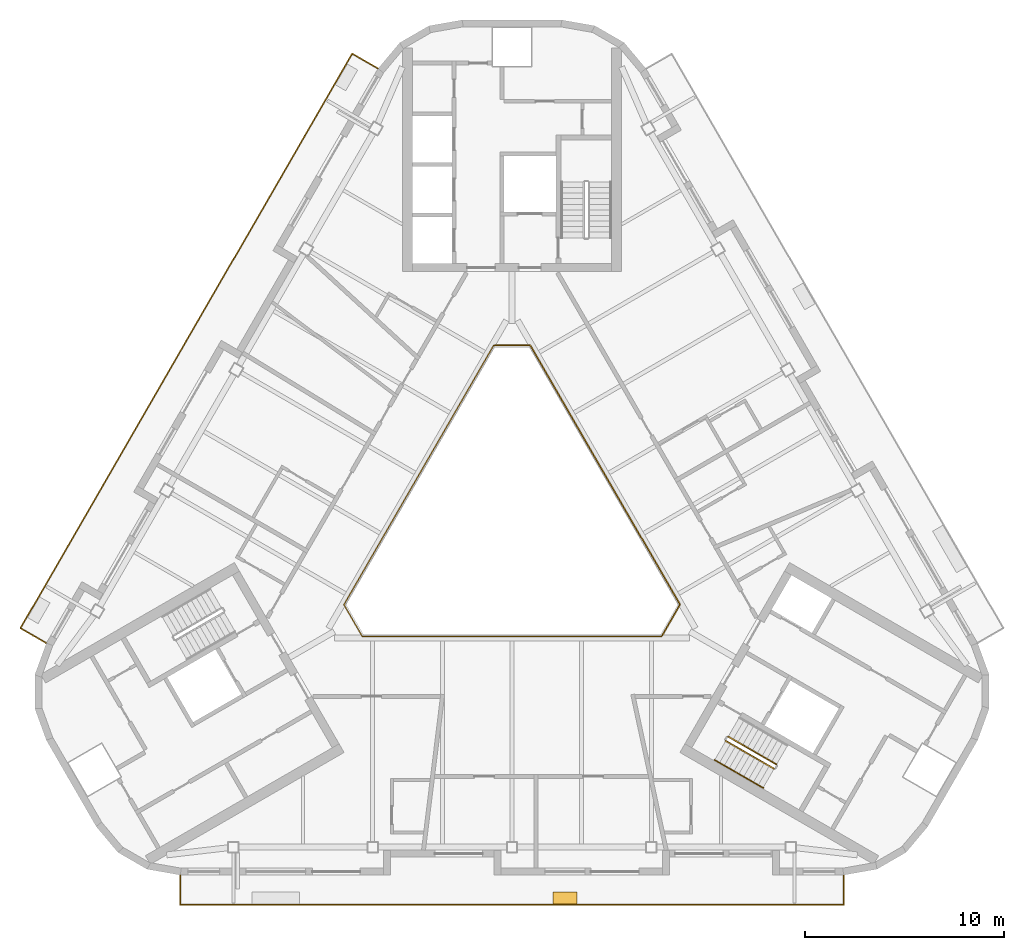
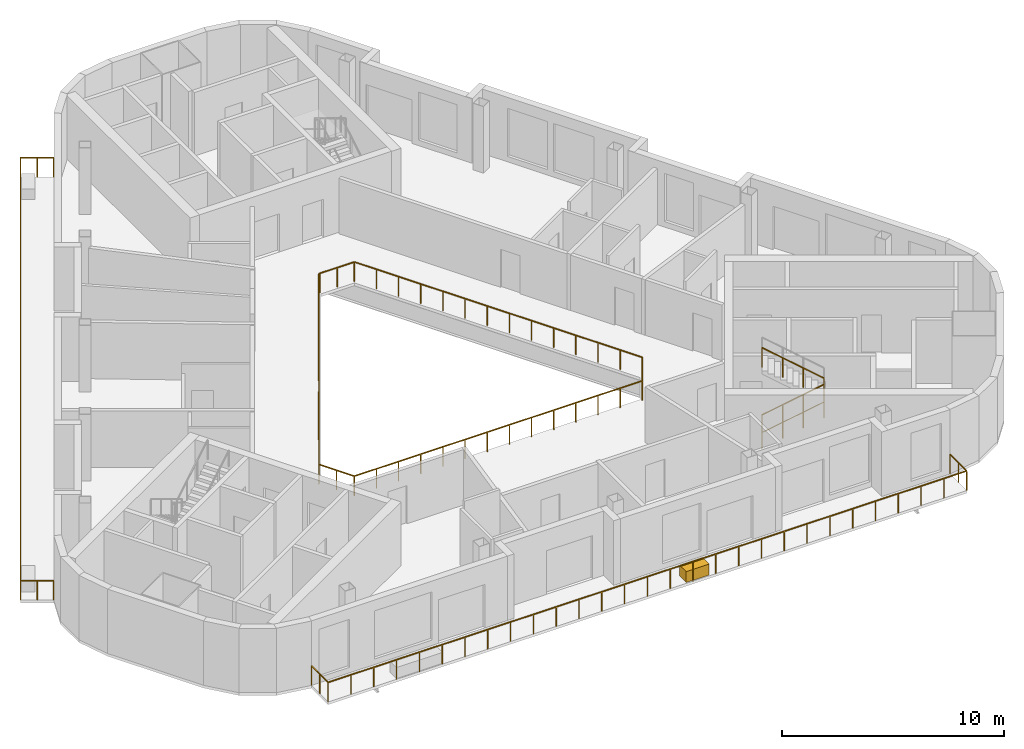
# One storey, part 9 of 12: 7 railings, 1 covering.
"""IFC4 building model written with IfcOpenShell, lengths in metres."""

from ifc_helpers import new_model, si_unit, direction, frame, origin, origin_2d, place, context, subcontext, project, spatial, rectangle, circle, extrude, material, type_object, element, save


model = new_model("IFC4")

# Units and contexts
model_context = context("Model", 3, precision=1e-05, world=origin(), true_north=direction((0.0, 1.0)))
body_context = subcontext(model_context, "Body", "Model", "MODEL_VIEW")
ifc_project = project(units=[si_unit("LENGTHUNIT", "METRE"), si_unit("AREAUNIT", "SQUARE_METRE"), si_unit("VOLUMEUNIT", "CUBIC_METRE"), si_unit("PLANEANGLEUNIT", "RADIAN"), si_unit("MASSUNIT", "GRAM", prefix="KILO")], contexts=[model_context])

# Site, building, storey
site_placement = place(None, origin())
site = spatial("IfcSite", under=ifc_project, at=site_placement, CompositionType="ELEMENT")
building_placement = place(site_placement, origin())
building = spatial("IfcBuilding", under=site, at=building_placement, Name="Apuvela Tower Hotel", CompositionType="ELEMENT")
storey_placement = place(building_placement, frame((0.0, 0.0, 294.800048828125)))
storey = spatial("IfcBuildingStorey", under=building, at=storey_placement, Name="L73", CompositionType="ELEMENT", Elevation=294.800048828125)

# Railings
ifc_material_1 = material(Name="Steel S275 balustrade", Category="steel")
railing_type_1 = type_object("IfcRailingType", Name="COR-GUARD-1100", PredefinedType="GUARDRAIL", material=ifc_material_1)
railing_1_placement = place(storey_placement, frame((10.718994140625, -10.63427734375, 0.168212890625)))
element("IfcRailing", 1, at=railing_1_placement, inside=storey, type_object=railing_type_1, Name="L73 ST3 stair guard 1", PredefinedType="GUARDRAIL", context=body_context, shape_type="SweptSolid", body=[
    extrude(rectangle(XDim=0.048095703125, YDim=0.048095703125, at=origin_2d()), frame((0.0, 0.0, 1.076171875), z_axis=(0.74241905619, -0.428617687091, 0.514879426), x_axis=(0.49998411664, 0.866034573852, 0.0)), (0.0, 0.0, 1.0), 3.26611328125),
    extrude(rectangle(XDim=0.0419921875, YDim=0.0419921875, at=origin_2d()), origin(), (0.0, 0.0, 1.0), 1.052001953125),
    extrude(rectangle(XDim=0.0419921875, YDim=0.0419921875, at=origin_2d()), frame((0.808349609375, -0.466552734375, 0.560546875)), (0.0, 0.0, 1.0), 1.052001953125),
    extrude(rectangle(XDim=0.0419921875, YDim=0.0419921875, at=origin_2d()), frame((1.616455078125, -0.933349609375, 1.12109375)), (0.0, 0.0, 1.0), 1.052001953125),
    extrude(rectangle(XDim=0.0419921875, YDim=0.0419921875, at=origin_2d()), frame((2.4248046875, -1.39990234375, 1.681640625)), (0.0, 0.0, 1.0), 1.052001953125),
])
railing_2_placement = place(storey_placement, frame((13.268798828125, -11.817626953125, 2.01806640625)))
element("IfcRailing", 2, at=railing_2_placement, inside=storey, type_object=railing_type_1, Name="L73 ST3 stair guard 3", PredefinedType="GUARDRAIL", context=body_context, shape_type="SweptSolid", body=[
    extrude(rectangle(XDim=0.048095703125, YDim=0.048095703125, at=origin_2d()), frame((0.0, 0.0, 1.076171875), z_axis=(-0.742390482028, 0.42860119049, 0.514934356695), x_axis=(-0.49998411664, -0.866034573852, 0.0)), (0.0, 0.0, 1.0), 3.26611328125),
    extrude(rectangle(XDim=0.0419921875, YDim=0.0419921875, at=origin_2d()), origin(), (0.0, 0.0, 1.0), 1.052001953125),
    extrude(rectangle(XDim=0.0419921875, YDim=0.0419921875, at=origin_2d()), frame((-0.808349609375, 0.466552734375, 0.560546875)), (0.0, 0.0, 1.0), 1.052001953125),
    extrude(rectangle(XDim=0.0419921875, YDim=0.0419921875, at=origin_2d()), frame((-1.616455078125, 0.933349609375, 1.121337890625)), (0.0, 0.0, 1.0), 1.052001953125),
    extrude(rectangle(XDim=0.0419921875, YDim=0.0419921875, at=origin_2d()), frame((-2.4248046875, 1.39990234375, 1.681884765625)), (0.0, 0.0, 1.0), 1.052001953125),
])
ifc_material_2 = material(Name="Stainless steel 316 handrail", Category="steel")
railing_type_2 = type_object("IfcRailingType", Name="COR-HANDRAIL-900", PredefinedType="HANDRAIL", material=ifc_material_2)
railing_3_placement = place(storey_placement, frame((10.1689453125, -11.5869140625, 0.168212890625)))
element("IfcRailing", 3, at=railing_3_placement, inside=storey, type_object=railing_type_2, Name="L73 ST3 stair handrail 1", PredefinedType="HANDRAIL", context=body_context, shape_type="SweptSolid", body=[
    extrude(circle(Radius=0.02392578125, at=origin_2d()), frame((0.0, 0.0, 0.8759765625), z_axis=(0.74241905619, -0.428617687091, 0.514879426), x_axis=(0.49998411664, 0.866034573852, 0.0)), (0.0, 0.0, 1.0), 3.26611328125),
    extrude(rectangle(XDim=0.0419921875, YDim=0.0419921875, at=origin_2d()), origin(), (0.0, 0.0, 1.0), 0.851806640625),
    extrude(rectangle(XDim=0.0419921875, YDim=0.0419921875, at=origin_2d()), frame((0.808349609375, -0.466552734375, 0.560546875)), (0.0, 0.0, 1.0), 0.851806640625),
    extrude(rectangle(XDim=0.0419921875, YDim=0.0419921875, at=origin_2d()), frame((1.616455078125, -0.933349609375, 1.12109375)), (0.0, 0.0, 1.0), 0.851806640625),
    extrude(rectangle(XDim=0.0419921875, YDim=0.0419921875, at=origin_2d()), frame((2.4248046875, -1.39990234375, 1.681640625)), (0.0, 0.0, 1.0), 0.851806640625),
])
ifc_material_3 = material(Name="Stainless steel 316 rail with laminated glass infill", Category="steel")
railing_type_3 = type_object("IfcRailingType", Name="ENV-GUARD-1100", PredefinedType="GUARDRAIL", material=ifc_material_3)
railing_4_placement = place(storey_placement, frame((-16.6416015625, -17.361572265625, 0.0)))
element("IfcRailing", 4, at=railing_4_placement, inside=storey, type_object=railing_type_3, Name="Balcony guard S L73", PredefinedType="GUARDRAIL", context=body_context, shape_type="SweptSolid", body=[
    extrude(rectangle(XDim=0.050048828125, YDim=0.050048828125, at=origin_2d()), frame((0.0, 0.0, 1.0751953125), z_axis=(0.0, -1.0, 0.0), x_axis=(1.0, 0.0, 0.0)), (0.0, 0.0, 1.0), 1.5),
    extrude(rectangle(XDim=0.050048828125, YDim=0.050048828125, at=origin_2d()), frame((0.0, -1.5, 1.0751953125), z_axis=(1.0, 0.0, 0.0), x_axis=(0.0, 1.0, 0.0)), (0.0, 0.0, 1.0), 33.283203125),
    extrude(rectangle(XDim=0.050048828125, YDim=0.050048828125, at=origin_2d()), frame((33.283203125, -1.5, 1.0751953125), z_axis=(0.0, 1.0, 0.0), x_axis=(-1.0, 0.0, 0.0)), (0.0, 0.0, 1.0), 1.5),
    extrude(rectangle(XDim=0.0400390625, YDim=0.0400390625, at=origin_2d()), origin(), (0.0, 0.0, 1.0), 1.050048828125),
    extrude(rectangle(XDim=0.0400390625, YDim=0.0400390625, at=origin_2d()), frame((0.0, -0.75, 0.0)), (0.0, 0.0, 1.0), 1.050048828125),
    extrude(rectangle(XDim=0.0400390625, YDim=0.0400390625, at=origin_2d()), frame((0.0, -1.5, 0.0)), (0.0, 0.0, 1.0), 1.050048828125),
    extrude(rectangle(XDim=0.0400390625, YDim=0.0400390625, at=origin_2d()), frame((1.188720703125, -1.5, 0.0)), (0.0, 0.0, 1.0), 1.050048828125),
    extrude(rectangle(XDim=0.0400390625, YDim=0.0400390625, at=origin_2d()), frame((2.37744140625, -1.5, 0.0)), (0.0, 0.0, 1.0), 1.050048828125),
    extrude(rectangle(XDim=0.0400390625, YDim=0.0400390625, at=origin_2d()), frame((3.566162109375, -1.5, 0.0)), (0.0, 0.0, 1.0), 1.050048828125),
    extrude(rectangle(XDim=0.0400390625, YDim=0.0400390625, at=origin_2d()), frame((4.754638671875, -1.5, 0.0)), (0.0, 0.0, 1.0), 1.050048828125),
    extrude(rectangle(XDim=0.0400390625, YDim=0.0400390625, at=origin_2d()), frame((5.943359375, -1.5, 0.0)), (0.0, 0.0, 1.0), 1.050048828125),
    extrude(rectangle(XDim=0.0400390625, YDim=0.0400390625, at=origin_2d()), frame((7.132080078125, -1.5, 0.0)), (0.0, 0.0, 1.0), 1.050048828125),
    extrude(rectangle(XDim=0.0400390625, YDim=0.0400390625, at=origin_2d()), frame((8.32080078125, -1.5, 0.0)), (0.0, 0.0, 1.0), 1.050048828125),
    extrude(rectangle(XDim=0.0400390625, YDim=0.0400390625, at=origin_2d()), frame((9.509521484375, -1.5, 0.0)), (0.0, 0.0, 1.0), 1.050048828125),
    extrude(rectangle(XDim=0.0400390625, YDim=0.0400390625, at=origin_2d()), frame((10.6982421875, -1.5, 0.0)), (0.0, 0.0, 1.0), 1.050048828125),
    extrude(rectangle(XDim=0.0400390625, YDim=0.0400390625, at=origin_2d()), frame((11.886962890625, -1.5, 0.0)), (0.0, 0.0, 1.0), 1.050048828125),
    extrude(rectangle(XDim=0.0400390625, YDim=0.0400390625, at=origin_2d()), frame((13.075439453125, -1.5, 0.0)), (0.0, 0.0, 1.0), 1.050048828125),
    extrude(rectangle(XDim=0.0400390625, YDim=0.0400390625, at=origin_2d()), frame((14.26416015625, -1.5, 0.0)), (0.0, 0.0, 1.0), 1.050048828125),
    extrude(rectangle(XDim=0.0400390625, YDim=0.0400390625, at=origin_2d()), frame((15.452880859375, -1.5, 0.0)), (0.0, 0.0, 1.0), 1.050048828125),
    extrude(rectangle(XDim=0.0400390625, YDim=0.0400390625, at=origin_2d()), frame((16.6416015625, -1.5, 0.0)), (0.0, 0.0, 1.0), 1.050048828125),
    extrude(rectangle(XDim=0.0400390625, YDim=0.0400390625, at=origin_2d()), frame((17.830322265625, -1.5, 0.0)), (0.0, 0.0, 1.0), 1.050048828125),
    extrude(rectangle(XDim=0.0400390625, YDim=0.0400390625, at=origin_2d()), frame((19.01904296875, -1.5, 0.0)), (0.0, 0.0, 1.0), 1.050048828125),
    extrude(rectangle(XDim=0.0400390625, YDim=0.0400390625, at=origin_2d()), frame((20.207763671875, -1.5, 0.0)), (0.0, 0.0, 1.0), 1.050048828125),
    extrude(rectangle(XDim=0.0400390625, YDim=0.0400390625, at=origin_2d()), frame((21.396240234375, -1.5, 0.0)), (0.0, 0.0, 1.0), 1.050048828125),
    extrude(rectangle(XDim=0.0400390625, YDim=0.0400390625, at=origin_2d()), frame((22.5849609375, -1.5, 0.0)), (0.0, 0.0, 1.0), 1.050048828125),
    extrude(rectangle(XDim=0.0400390625, YDim=0.0400390625, at=origin_2d()), frame((23.773681640625, -1.5, 0.0)), (0.0, 0.0, 1.0), 1.050048828125),
    extrude(rectangle(XDim=0.0400390625, YDim=0.0400390625, at=origin_2d()), frame((24.96240234375, -1.5, 0.0)), (0.0, 0.0, 1.0), 1.050048828125),
    extrude(rectangle(XDim=0.0400390625, YDim=0.0400390625, at=origin_2d()), frame((26.151123046875, -1.5, 0.0)), (0.0, 0.0, 1.0), 1.050048828125),
    extrude(rectangle(XDim=0.0400390625, YDim=0.0400390625, at=origin_2d()), frame((27.33984375, -1.5, 0.0)), (0.0, 0.0, 1.0), 1.050048828125),
    extrude(rectangle(XDim=0.0400390625, YDim=0.0400390625, at=origin_2d()), frame((28.528564453125, -1.5, 0.0)), (0.0, 0.0, 1.0), 1.050048828125),
    extrude(rectangle(XDim=0.0400390625, YDim=0.0400390625, at=origin_2d()), frame((29.717041015625, -1.5, 0.0)), (0.0, 0.0, 1.0), 1.050048828125),
    extrude(rectangle(XDim=0.0400390625, YDim=0.0400390625, at=origin_2d()), frame((30.90576171875, -1.5, 0.0)), (0.0, 0.0, 1.0), 1.050048828125),
    extrude(rectangle(XDim=0.0400390625, YDim=0.0400390625, at=origin_2d()), frame((32.094482421875, -1.5, 0.0)), (0.0, 0.0, 1.0), 1.050048828125),
    extrude(rectangle(XDim=0.0400390625, YDim=0.0400390625, at=origin_2d()), frame((33.283203125, -1.5, 0.0)), (0.0, 0.0, 1.0), 1.050048828125),
    extrude(rectangle(XDim=0.0400390625, YDim=0.0400390625, at=origin_2d()), frame((33.283203125, -0.75, 0.0)), (0.0, 0.0, 1.0), 1.050048828125),
    extrude(rectangle(XDim=0.0400390625, YDim=0.0400390625, at=origin_2d()), frame((33.283203125, 0.0, 0.0)), (0.0, 0.0, 1.0), 1.050048828125),
])
railing_5_placement = place(storey_placement, frame((-6.71484375, 23.0927734375, 0.0)))
element("IfcRailing", 5, at=railing_5_placement, inside=storey, type_object=railing_type_3, Name="Balcony guard NW L73", PredefinedType="GUARDRAIL", context=body_context, shape_type="SweptSolid", body=[
    extrude(rectangle(XDim=0.050048828125, YDim=0.050048828125, at=origin_2d()), frame((0.0, 0.0, 1.0751953125), z_axis=(-0.866031096941, 0.499990139034, 0.0), x_axis=(-0.499990139034, -0.866031096941, 0.0)), (0.0, 0.0, 1.0), 1.5),
    extrude(rectangle(XDim=0.050048828125, YDim=0.050048828125, at=origin_2d()), frame((-1.299072265625, 0.75, 1.0751953125), z_axis=(-0.500001623856, -0.866024466248, 0.0), x_axis=(0.866024466248, -0.500001623856, 0.0)), (0.0, 0.0, 1.0), 33.283203125),
    extrude(rectangle(XDim=0.050048828125, YDim=0.050048828125, at=origin_2d()), frame((-17.940673828125, -28.073974609375, 1.0751953125), z_axis=(0.866031096941, -0.499990139034, 0.0), x_axis=(0.499990139034, 0.866031096941, 0.0)), (0.0, 0.0, 1.0), 1.5),
    extrude(rectangle(XDim=0.0400390625, YDim=0.0400390625, at=origin_2d()), origin(), (0.0, 0.0, 1.0), 1.050048828125),
    extrude(rectangle(XDim=0.0400390625, YDim=0.0400390625, at=origin_2d()), frame((-0.6494140625, 0.375, 0.0)), (0.0, 0.0, 1.0), 1.050048828125),
    extrude(rectangle(XDim=0.0400390625, YDim=0.0400390625, at=origin_2d()), frame((-1.299072265625, 0.75, 0.0)), (0.0, 0.0, 1.0), 1.050048828125),
    extrude(rectangle(XDim=0.0400390625, YDim=0.0400390625, at=origin_2d()), frame((-1.893310546875, -0.279541015625, 0.0)), (0.0, 0.0, 1.0), 1.050048828125),
    extrude(rectangle(XDim=0.0400390625, YDim=0.0400390625, at=origin_2d()), frame((-2.48779296875, -1.308837890625, 0.0)), (0.0, 0.0, 1.0), 1.050048828125),
    extrude(rectangle(XDim=0.0400390625, YDim=0.0400390625, at=origin_2d()), frame((-3.08203125, -2.33837890625, 0.0)), (0.0, 0.0, 1.0), 1.050048828125),
    extrude(rectangle(XDim=0.0400390625, YDim=0.0400390625, at=origin_2d()), frame((-3.676513671875, -3.36767578125, 0.0)), (0.0, 0.0, 1.0), 1.050048828125),
    extrude(rectangle(XDim=0.0400390625, YDim=0.0400390625, at=origin_2d()), frame((-4.270751953125, -4.397216796875, 0.0)), (0.0, 0.0, 1.0), 1.050048828125),
    extrude(rectangle(XDim=0.0400390625, YDim=0.0400390625, at=origin_2d()), frame((-4.865234375, -5.426513671875, 0.0)), (0.0, 0.0, 1.0), 1.050048828125),
    extrude(rectangle(XDim=0.0400390625, YDim=0.0400390625, at=origin_2d()), frame((-5.45947265625, -6.4560546875, 0.0)), (0.0, 0.0, 1.0), 1.050048828125),
    extrude(rectangle(XDim=0.0400390625, YDim=0.0400390625, at=origin_2d()), frame((-6.0537109375, -7.4853515625, 0.0)), (0.0, 0.0, 1.0), 1.050048828125),
    extrude(rectangle(XDim=0.0400390625, YDim=0.0400390625, at=origin_2d()), frame((-6.648193359375, -8.514892578125, 0.0)), (0.0, 0.0, 1.0), 1.050048828125),
    extrude(rectangle(XDim=0.0400390625, YDim=0.0400390625, at=origin_2d()), frame((-7.242431640625, -9.544189453125, 0.0)), (0.0, 0.0, 1.0), 1.050048828125),
    extrude(rectangle(XDim=0.0400390625, YDim=0.0400390625, at=origin_2d()), frame((-7.8369140625, -10.57373046875, 0.0)), (0.0, 0.0, 1.0), 1.050048828125),
    extrude(rectangle(XDim=0.0400390625, YDim=0.0400390625, at=origin_2d()), frame((-8.43115234375, -11.60302734375, 0.0)), (0.0, 0.0, 1.0), 1.050048828125),
    extrude(rectangle(XDim=0.0400390625, YDim=0.0400390625, at=origin_2d()), frame((-9.025634765625, -12.632568359375, 0.0)), (0.0, 0.0, 1.0), 1.050048828125),
    extrude(rectangle(XDim=0.0400390625, YDim=0.0400390625, at=origin_2d()), frame((-9.619873046875, -13.662109375, 0.0)), (0.0, 0.0, 1.0), 1.050048828125),
    extrude(rectangle(XDim=0.0400390625, YDim=0.0400390625, at=origin_2d()), frame((-10.214111328125, -14.69140625, 0.0)), (0.0, 0.0, 1.0), 1.050048828125),
    extrude(rectangle(XDim=0.0400390625, YDim=0.0400390625, at=origin_2d()), frame((-10.80859375, -15.720947265625, 0.0)), (0.0, 0.0, 1.0), 1.050048828125),
    extrude(rectangle(XDim=0.0400390625, YDim=0.0400390625, at=origin_2d()), frame((-11.40283203125, -16.750244140625, 0.0)), (0.0, 0.0, 1.0), 1.050048828125),
    extrude(rectangle(XDim=0.0400390625, YDim=0.0400390625, at=origin_2d()), frame((-11.997314453125, -17.77978515625, 0.0)), (0.0, 0.0, 1.0), 1.050048828125),
    extrude(rectangle(XDim=0.0400390625, YDim=0.0400390625, at=origin_2d()), frame((-12.591552734375, -18.80908203125, 0.0)), (0.0, 0.0, 1.0), 1.050048828125),
    extrude(rectangle(XDim=0.0400390625, YDim=0.0400390625, at=origin_2d()), frame((-13.18603515625, -19.838623046875, 0.0)), (0.0, 0.0, 1.0), 1.050048828125),
    extrude(rectangle(XDim=0.0400390625, YDim=0.0400390625, at=origin_2d()), frame((-13.7802734375, -20.867919921875, 0.0)), (0.0, 0.0, 1.0), 1.050048828125),
    extrude(rectangle(XDim=0.0400390625, YDim=0.0400390625, at=origin_2d()), frame((-14.37451171875, -21.8974609375, 0.0)), (0.0, 0.0, 1.0), 1.050048828125),
    extrude(rectangle(XDim=0.0400390625, YDim=0.0400390625, at=origin_2d()), frame((-14.968994140625, -22.9267578125, 0.0)), (0.0, 0.0, 1.0), 1.050048828125),
    extrude(rectangle(XDim=0.0400390625, YDim=0.0400390625, at=origin_2d()), frame((-15.563232421875, -23.956298828125, 0.0)), (0.0, 0.0, 1.0), 1.050048828125),
    extrude(rectangle(XDim=0.0400390625, YDim=0.0400390625, at=origin_2d()), frame((-16.15771484375, -24.985595703125, 0.0)), (0.0, 0.0, 1.0), 1.050048828125),
    extrude(rectangle(XDim=0.0400390625, YDim=0.0400390625, at=origin_2d()), frame((-16.751953125, -26.01513671875, 0.0)), (0.0, 0.0, 1.0), 1.050048828125),
    extrude(rectangle(XDim=0.0400390625, YDim=0.0400390625, at=origin_2d()), frame((-17.346435546875, -27.04443359375, 0.0)), (0.0, 0.0, 1.0), 1.050048828125),
    extrude(rectangle(XDim=0.0400390625, YDim=0.0400390625, at=origin_2d()), frame((-17.940673828125, -28.073974609375, 0.0)), (0.0, 0.0, 1.0), 1.050048828125),
    extrude(rectangle(XDim=0.0400390625, YDim=0.0400390625, at=origin_2d()), frame((-17.291015625, -28.448974609375, 0.0)), (0.0, 0.0, 1.0), 1.050048828125),
    extrude(rectangle(XDim=0.0400390625, YDim=0.0400390625, at=origin_2d()), frame((-16.6416015625, -28.823974609375, 0.0)), (0.0, 0.0, 1.0), 1.050048828125),
])
railing_6_placement = place(storey_placement, frame((-0.923828125, 9.199951171875, 0.0)))
element("IfcRailing", 6, at=railing_6_placement, inside=storey, type_object=railing_type_3, Name="Atrium void guard A L73", PredefinedType="GUARDRAIL", context=body_context, shape_type="SweptSolid", body=[
    extrude(rectangle(XDim=0.050048828125, YDim=0.050048828125, at=origin_2d()), frame((0.0, 0.0, 1.0751953125), z_axis=(-0.499990886379, -0.866030665472, 0.0), x_axis=(0.866030665472, -0.499990886379, 0.0)), (0.0, 0.0, 1.0), 15.010986328125),
    extrude(rectangle(XDim=0.050048828125, YDim=0.050048828125, at=origin_2d()), frame((-7.50537109375, -13.0, 1.0751953125), z_axis=(0.499962699187, -0.866046938348, 0.0), x_axis=(0.866046938348, 0.499962699187, 0.0)), (0.0, 0.0, 1.0), 1.847412109375),
    extrude(rectangle(XDim=0.050048828125, YDim=0.050048828125, at=origin_2d()), frame((-6.581787109375, -14.599853515625, 1.0751953125), z_axis=(1.0, 0.0, 0.0), x_axis=(0.0, 1.0, 0.0)), (0.0, 0.0, 1.0), 15.01123046875),
    extrude(rectangle(XDim=0.0400390625, YDim=0.0400390625, at=origin_2d()), origin(), (0.0, 0.0, 1.0), 1.050048828125),
    extrude(rectangle(XDim=0.0400390625, YDim=0.0400390625, at=origin_2d()), frame((-0.577392578125, -1.0, 0.0)), (0.0, 0.0, 1.0), 1.050048828125),
    extrude(rectangle(XDim=0.0400390625, YDim=0.0400390625, at=origin_2d()), frame((-1.15478515625, -2.0, 0.0)), (0.0, 0.0, 1.0), 1.050048828125),
    extrude(rectangle(XDim=0.0400390625, YDim=0.0400390625, at=origin_2d()), frame((-1.73193359375, -3.0, 0.0)), (0.0, 0.0, 1.0), 1.050048828125),
    extrude(rectangle(XDim=0.0400390625, YDim=0.0400390625, at=origin_2d()), frame((-2.309326171875, -4.0, 0.0)), (0.0, 0.0, 1.0), 1.050048828125),
    extrude(rectangle(XDim=0.0400390625, YDim=0.0400390625, at=origin_2d()), frame((-2.88671875, -5.0, 0.0)), (0.0, 0.0, 1.0), 1.050048828125),
    extrude(rectangle(XDim=0.0400390625, YDim=0.0400390625, at=origin_2d()), frame((-3.464111328125, -6.0, 0.0)), (0.0, 0.0, 1.0), 1.050048828125),
    extrude(rectangle(XDim=0.0400390625, YDim=0.0400390625, at=origin_2d()), frame((-4.041259765625, -7.0, 0.0)), (0.0, 0.0, 1.0), 1.050048828125),
    extrude(rectangle(XDim=0.0400390625, YDim=0.0400390625, at=origin_2d()), frame((-4.61865234375, -8.0, 0.0)), (0.0, 0.0, 1.0), 1.050048828125),
    extrude(rectangle(XDim=0.0400390625, YDim=0.0400390625, at=origin_2d()), frame((-5.196044921875, -9.0, 0.0)), (0.0, 0.0, 1.0), 1.050048828125),
    extrude(rectangle(XDim=0.0400390625, YDim=0.0400390625, at=origin_2d()), frame((-5.7734375, -10.0, 0.0)), (0.0, 0.0, 1.0), 1.050048828125),
    extrude(rectangle(XDim=0.0400390625, YDim=0.0400390625, at=origin_2d()), frame((-6.3505859375, -11.0, 0.0)), (0.0, 0.0, 1.0), 1.050048828125),
    extrude(rectangle(XDim=0.0400390625, YDim=0.0400390625, at=origin_2d()), frame((-6.927978515625, -12.0, 0.0)), (0.0, 0.0, 1.0), 1.050048828125),
    extrude(rectangle(XDim=0.0400390625, YDim=0.0400390625, at=origin_2d()), frame((-7.50537109375, -13.0, 0.0)), (0.0, 0.0, 1.0), 1.050048828125),
    extrude(rectangle(XDim=0.0400390625, YDim=0.0400390625, at=origin_2d()), frame((-7.04345703125, -13.7998046875, 0.0)), (0.0, 0.0, 1.0), 1.050048828125),
    extrude(rectangle(XDim=0.0400390625, YDim=0.0400390625, at=origin_2d()), frame((-6.581787109375, -14.599853515625, 0.0)), (0.0, 0.0, 1.0), 1.050048828125),
    extrude(rectangle(XDim=0.0400390625, YDim=0.0400390625, at=origin_2d()), frame((-5.427001953125, -14.599853515625, 0.0)), (0.0, 0.0, 1.0), 1.050048828125),
    extrude(rectangle(XDim=0.0400390625, YDim=0.0400390625, at=origin_2d()), frame((-4.2724609375, -14.599853515625, 0.0)), (0.0, 0.0, 1.0), 1.050048828125),
    extrude(rectangle(XDim=0.0400390625, YDim=0.0400390625, at=origin_2d()), frame((-3.11767578125, -14.599853515625, 0.0)), (0.0, 0.0, 1.0), 1.050048828125),
    extrude(rectangle(XDim=0.0400390625, YDim=0.0400390625, at=origin_2d()), frame((-1.962890625, -14.599853515625, 0.0)), (0.0, 0.0, 1.0), 1.050048828125),
    extrude(rectangle(XDim=0.0400390625, YDim=0.0400390625, at=origin_2d()), frame((-0.808349609375, -14.599853515625, 0.0)), (0.0, 0.0, 1.0), 1.050048828125),
    extrude(rectangle(XDim=0.0400390625, YDim=0.0400390625, at=origin_2d()), frame((0.346435546875, -14.599853515625, 0.0)), (0.0, 0.0, 1.0), 1.050048828125),
    extrude(rectangle(XDim=0.0400390625, YDim=0.0400390625, at=origin_2d()), frame((1.501220703125, -14.599853515625, 0.0)), (0.0, 0.0, 1.0), 1.050048828125),
    extrude(rectangle(XDim=0.0400390625, YDim=0.0400390625, at=origin_2d()), frame((2.656005859375, -14.599853515625, 0.0)), (0.0, 0.0, 1.0), 1.050048828125),
    extrude(rectangle(XDim=0.0400390625, YDim=0.0400390625, at=origin_2d()), frame((3.810546875, -14.599853515625, 0.0)), (0.0, 0.0, 1.0), 1.050048828125),
    extrude(rectangle(XDim=0.0400390625, YDim=0.0400390625, at=origin_2d()), frame((4.96533203125, -14.599853515625, 0.0)), (0.0, 0.0, 1.0), 1.050048828125),
    extrude(rectangle(XDim=0.0400390625, YDim=0.0400390625, at=origin_2d()), frame((6.1201171875, -14.599853515625, 0.0)), (0.0, 0.0, 1.0), 1.050048828125),
    extrude(rectangle(XDim=0.0400390625, YDim=0.0400390625, at=origin_2d()), frame((7.274658203125, -14.599853515625, 0.0)), (0.0, 0.0, 1.0), 1.050048828125),
    extrude(rectangle(XDim=0.0400390625, YDim=0.0400390625, at=origin_2d()), frame((8.429443359375, -14.599853515625, 0.0)), (0.0, 0.0, 1.0), 1.050048828125),
])
railing_7_placement = place(storey_placement, frame((7.53564453125, -5.347900390625, 0.0)))
element("IfcRailing", 7, at=railing_7_placement, inside=storey, type_object=railing_type_3, Name="Atrium void guard B L73", PredefinedType="GUARDRAIL", context=body_context, shape_type="SweptSolid", body=[
    extrude(rectangle(XDim=0.050048828125, YDim=0.050048828125, at=origin_2d()), frame((0.0, 0.0, 1.0751953125), z_axis=(0.499958946799, 0.866049104564, 0.0), x_axis=(-0.866049104564, 0.499958946799, 0.0)), (0.0, 0.0, 1.0), 1.787353515625),
    extrude(rectangle(XDim=0.050048828125, YDim=0.050048828125, at=origin_2d()), frame((0.8935546875, 1.5478515625, 1.0751953125), z_axis=(-0.499990886379, 0.866030665472, 0.0), x_axis=(-0.866030665472, -0.499990886379, 0.0)), (0.0, 0.0, 1.0), 15.010986328125),
    extrude(rectangle(XDim=0.050048828125, YDim=0.050048828125, at=origin_2d()), frame((-6.61181640625, 14.5478515625, 1.0751953125), z_axis=(-1.0, 0.0, 0.0), x_axis=(0.0, -1.0, 0.0)), (0.0, 0.0, 1.0), 1.78759765625),
    extrude(rectangle(XDim=0.0400390625, YDim=0.0400390625, at=origin_2d()), origin(), (0.0, 0.0, 1.0), 1.050048828125),
    extrude(rectangle(XDim=0.0400390625, YDim=0.0400390625, at=origin_2d()), frame((0.44677734375, 0.77392578125, 0.0)), (0.0, 0.0, 1.0), 1.050048828125),
    extrude(rectangle(XDim=0.0400390625, YDim=0.0400390625, at=origin_2d()), frame((0.8935546875, 1.5478515625, 0.0)), (0.0, 0.0, 1.0), 1.050048828125),
    extrude(rectangle(XDim=0.0400390625, YDim=0.0400390625, at=origin_2d()), frame((0.316162109375, 2.5478515625, 0.0)), (0.0, 0.0, 1.0), 1.050048828125),
    extrude(rectangle(XDim=0.0400390625, YDim=0.0400390625, at=origin_2d()), frame((-0.26123046875, 3.5478515625, 0.0)), (0.0, 0.0, 1.0), 1.050048828125),
    extrude(rectangle(XDim=0.0400390625, YDim=0.0400390625, at=origin_2d()), frame((-0.83837890625, 4.5478515625, 0.0)), (0.0, 0.0, 1.0), 1.050048828125),
    extrude(rectangle(XDim=0.0400390625, YDim=0.0400390625, at=origin_2d()), frame((-1.415771484375, 5.5478515625, 0.0)), (0.0, 0.0, 1.0), 1.050048828125),
    extrude(rectangle(XDim=0.0400390625, YDim=0.0400390625, at=origin_2d()), frame((-1.9931640625, 6.5478515625, 0.0)), (0.0, 0.0, 1.0), 1.050048828125),
    extrude(rectangle(XDim=0.0400390625, YDim=0.0400390625, at=origin_2d()), frame((-2.570556640625, 7.5478515625, 0.0)), (0.0, 0.0, 1.0), 1.050048828125),
    extrude(rectangle(XDim=0.0400390625, YDim=0.0400390625, at=origin_2d()), frame((-3.147705078125, 8.5478515625, 0.0)), (0.0, 0.0, 1.0), 1.050048828125),
    extrude(rectangle(XDim=0.0400390625, YDim=0.0400390625, at=origin_2d()), frame((-3.72509765625, 9.5478515625, 0.0)), (0.0, 0.0, 1.0), 1.050048828125),
    extrude(rectangle(XDim=0.0400390625, YDim=0.0400390625, at=origin_2d()), frame((-4.302490234375, 10.5478515625, 0.0)), (0.0, 0.0, 1.0), 1.050048828125),
    extrude(rectangle(XDim=0.0400390625, YDim=0.0400390625, at=origin_2d()), frame((-4.8798828125, 11.5478515625, 0.0)), (0.0, 0.0, 1.0), 1.050048828125),
    extrude(rectangle(XDim=0.0400390625, YDim=0.0400390625, at=origin_2d()), frame((-5.45703125, 12.5478515625, 0.0)), (0.0, 0.0, 1.0), 1.050048828125),
    extrude(rectangle(XDim=0.0400390625, YDim=0.0400390625, at=origin_2d()), frame((-6.034423828125, 13.5478515625, 0.0)), (0.0, 0.0, 1.0), 1.050048828125),
    extrude(rectangle(XDim=0.0400390625, YDim=0.0400390625, at=origin_2d()), frame((-6.61181640625, 14.5478515625, 0.0)), (0.0, 0.0, 1.0), 1.050048828125),
    extrude(rectangle(XDim=0.0400390625, YDim=0.0400390625, at=origin_2d()), frame((-7.505615234375, 14.5478515625, 0.0)), (0.0, 0.0, 1.0), 1.050048828125),
    extrude(rectangle(XDim=0.0400390625, YDim=0.0400390625, at=origin_2d()), frame((-8.3994140625, 14.5478515625, 0.0)), (0.0, 0.0, 1.0), 1.050048828125),
])

# Covering
ifc_material_4 = material(Name="Planting substrate and soil, planted")
covering_type = type_object("IfcCoveringType", Name="ENV-PLANTER-1200x600", PredefinedType="USERDEFINED", material=ifc_material_4)
covering_placement = place(storey_placement, frame((2.64990234375, -18.51171875, 0.0), z_axis=(0.0, 0.0, 1.0), x_axis=(1.0, 0.0, 0.0)))
element("IfcCovering", 8, at=covering_placement, inside=storey, type_object=covering_type, Name="Planter S2", ObjectType="PLANTER", PredefinedType="USERDEFINED", context=body_context, shape_type="SweptSolid", body=[
    extrude(rectangle(XDim=1.199951171875, YDim=0.60009765625, at=origin_2d()), origin(), (0.0, 0.0, 1.0), 0.60009765625),
])

save(model, "model.ifc")
